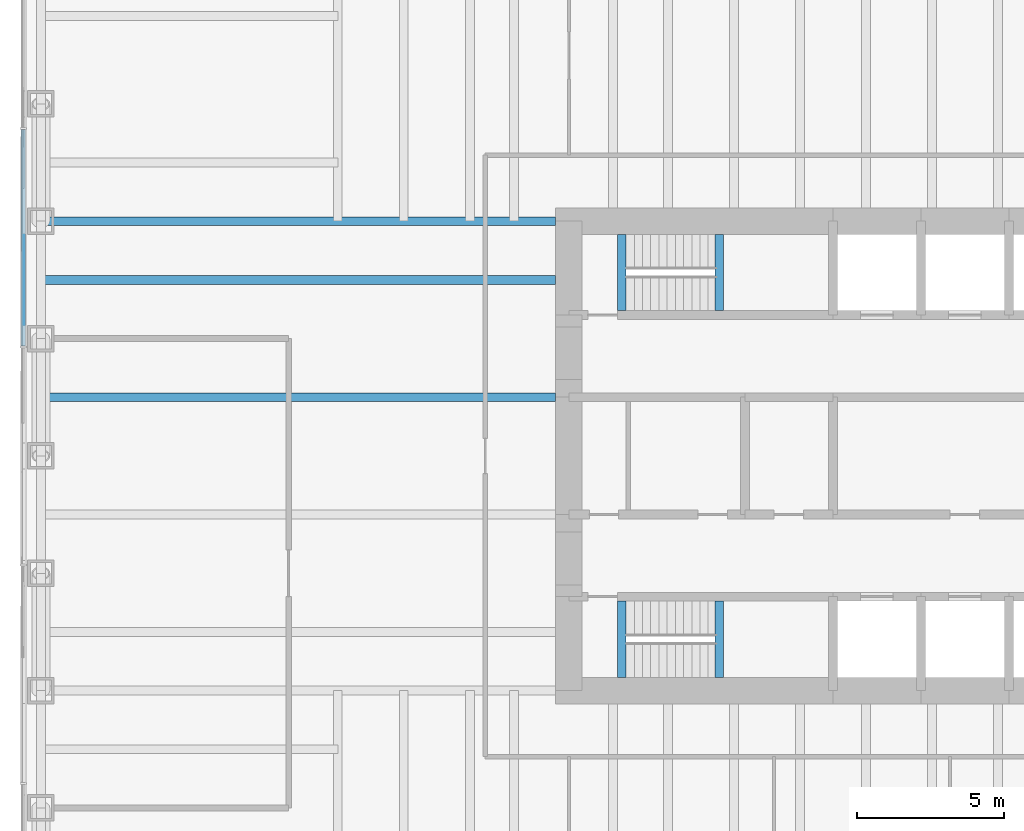
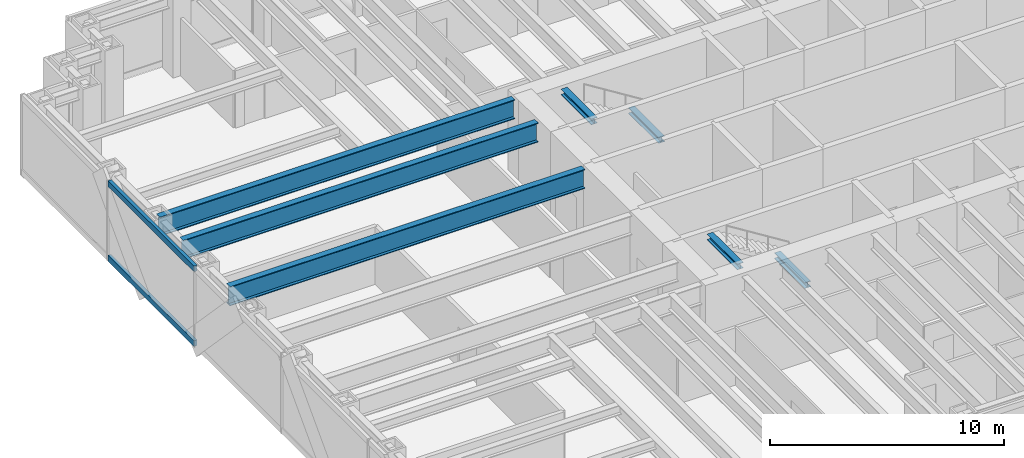
# One storey, part 3 of 16: 7 beams, 2 members, 1 element without a shape of its own.
"""IFC4 building model written with IfcOpenShell, lengths in metres."""

import ifcopenshell
import ifcopenshell.guid

model = None  # the IFC model being written
_history = None  # IfcOwnerHistory: only IFC2X3 demands one
_inside = {}  # id of a spatial element -> (the spatial element, [elements in it])
_under = {}  # id of a project, library or spatial element -> (it, [spatial elements below it])
_declared = {}  # id of a project -> (the project, [libraries it declares])
_typed = {}  # id of a type object -> (the type object, [elements of that type])
_made_of = {}  # id of a material, layer set ... -> (it, [elements and type objects made of it])


def new_model(schema):
    """Start an empty IFC model of exactly this schema.

    Asked for "IFC4X3", IfcOpenShell would pick the latest addendum, in which some entities
    have other attributes; the version numbers below select the first issue.
    IFC2X3 requires an IfcOwnerHistory on every rooted entity: one is made here for all.
    """
    global model, _history
    if schema == "IFC4X3":
        model = ifcopenshell.file(schema_version=(4, 3, 0, 0))
    else:
        model = ifcopenshell.file(schema=schema)
    _inside.clear()
    _under.clear()
    _declared.clear()
    _typed.clear()
    _made_of.clear()
    _history = None
    if model.schema == "IFC2X3":
        org = make("IfcOrganization", Name="unknown")
        user = make(
            "IfcPersonAndOrganization",
            ThePerson=make("IfcPerson", FamilyName="unknown"),
            TheOrganization=org,
        )
        app = make(
            "IfcApplication",
            ApplicationDeveloper=org,
            Version="unknown",
            ApplicationFullName="unknown",
            ApplicationIdentifier="unknown",
        )
        _history = make(
            "IfcOwnerHistory",
            OwningUser=user,
            OwningApplication=app,
            ChangeAction="ADDED",
            CreationDate=0,
        )
    return model


def make(cls, **values):
    """One entity of the class cls with the attributes given. An attribute that is None is left unset."""
    return model.create_entity(
        cls, **{name: value for name, value in values.items() if value is not None}
    )


def rooted(cls, **values):
    """An entity with a GlobalId (a new one), such as an element, a storey or a relation."""
    return make(cls, GlobalId=ifcopenshell.guid.new(), OwnerHistory=_history, **values)


def si_unit(unit_type, name, prefix=None):
    """IfcSIUnit, for example si_unit("LENGTHUNIT", "METRE", prefix="MILLI")."""
    return make("IfcSIUnit", UnitType=unit_type, Prefix=prefix, Name=name)


def assignment(units):
    """IfcUnitAssignment: the units of a project."""
    return None if units is None else make("IfcUnitAssignment", Units=units)


def point(xyz):
    """IfcCartesianPoint."""
    return None if xyz is None else make("IfcCartesianPoint", Coordinates=xyz)


def direction(xyz):
    """IfcDirection."""
    return None if xyz is None else make("IfcDirection", DirectionRatios=xyz)


def frame(location, z_axis=None, x_axis=None):
    """IfcAxis2Placement3D, a coordinate frame: its origin and axes. An axis left out is left unset."""
    return make(
        "IfcAxis2Placement3D",
        Location=point(location),
        Axis=direction(z_axis),
        RefDirection=direction(x_axis),
    )


def frame_2d(location, x_axis=None):
    """IfcAxis2Placement2D, a coordinate frame in the plane: its origin and x axis."""
    return make(
        "IfcAxis2Placement2D", Location=point(location), RefDirection=direction(x_axis)
    )


def origin():
    """The frame at (0, 0, 0) with its axes left unset."""
    return frame((0.0, 0.0, 0.0))


def origin_2d():
    """The frame at (0, 0) in the plane with its x axis left unset."""
    return frame_2d((0.0, 0.0))


def place(relative_to, where):
    """IfcLocalPlacement: puts the frame where relative to a parent placement (None: the world)."""
    return make(
        "IfcLocalPlacement", PlacementRelTo=relative_to, RelativePlacement=where
    )


def context(
    kind, dimensions, precision=None, world=None, true_north=None, identifier=None
):
    """IfcGeometricRepresentationContext, for example the 3D "Model" context."""
    return make(
        "IfcGeometricRepresentationContext",
        ContextIdentifier=identifier,
        ContextType=kind,
        CoordinateSpaceDimension=dimensions,
        Precision=precision,
        WorldCoordinateSystem=world,
        TrueNorth=true_north,
    )


def subcontext(parent, identifier, kind, view, scale=None):
    """IfcGeometricRepresentationSubContext, for example "Body" below "Model"."""
    return make(
        "IfcGeometricRepresentationSubContext",
        ContextIdentifier=identifier,
        ContextType=kind,
        ParentContext=parent,
        TargetScale=scale,
        TargetView=view,
    )


def project(units=None, contexts=None):
    """IfcProject with its units and contexts."""
    return rooted(
        "IfcProject",
        Name="project",
        RepresentationContexts=contexts,
        UnitsInContext=assignment(units),
    )


def spatial(cls, under=None, at=None, **own):
    """A site, building, storey or space (cls), placed at a placement, below another one or the project."""
    s = rooted(cls, ObjectPlacement=at, **own)
    if under is not None:
        _under.setdefault(under.id(), (under, []))[1].append(s)
    return s


def profile(cls, at=None, kind="AREA", **sizes):
    """A parametric profile (cls). Its sizes go by their IFC names, for example OverallWidth=200.0."""
    return make(cls, ProfileType=kind, Position=at, **sizes)


def rectangle(**sizes):
    """IfcRectangleProfileDef."""
    return profile("IfcRectangleProfileDef", **sizes)


def i_section(**sizes):
    """IfcIShapeProfileDef."""
    return profile("IfcIShapeProfileDef", **sizes)


def extrude(swept, where, along, depth):
    """IfcExtrudedAreaSolid: the profile swept, set in the frame where, extruded along a direction by depth."""
    return make(
        "IfcExtrudedAreaSolid",
        SweptArea=swept,
        Position=where,
        ExtrudedDirection=direction(along),
        Depth=depth,
    )


def shape(context_of_items, identifier, shape_type, items):
    """IfcShapeRepresentation: the items that make up one representation, for example the "Body"."""
    return make(
        "IfcShapeRepresentation",
        ContextOfItems=context_of_items,
        RepresentationIdentifier=identifier,
        RepresentationType=shape_type,
        Items=items,
    )


def material(Name=None, Category=None):
    """IfcMaterial."""
    return make("IfcMaterial", Name=Name, Category=Category)


def material_profile(
    of_material, cross_section, Name=None, Category=None, Priority=None
):
    """IfcMaterialProfile: a cross section and its material."""
    return make(
        "IfcMaterialProfile",
        Name=Name,
        Material=of_material,
        Profile=cross_section,
        Priority=Priority,
        Category=Category,
    )


def profile_set(profiles, Name=None, composite=None):
    """IfcMaterialProfileSet."""
    return make(
        "IfcMaterialProfileSet",
        Name=Name,
        MaterialProfiles=profiles,
        CompositeProfile=composite,
    )


def made_of(thing, what):
    """Note that an element or type object is made of a material, layer set ...; save() writes the relation."""
    if what is not None:
        _made_of.setdefault(what.id(), (what, []))[1].append(thing)
    return thing


def type_object(cls, material=None, **own):
    """A type object (cls), such as IfcWallType, which elements share."""
    return made_of(rooted(cls, **own), material)


def element(
    cls,
    number,
    at=None,
    inside=None,
    cuts=None,
    type_object=None,
    material=None,
    context=None,
    identifier="Body",
    shape_type=None,
    held_by="IfcProductDefinitionShape",
    body=None,
    shapes=None,
    **own,
):
    """One element of the class cls, such as IfcWall. Its Tag is "e" and its number.

    at: its placement. inside: the storey or other place that contains it. cuts: it is an
    opening in that element (IfcRelVoidsElement). A single representation is given by context,
    identifier, shape_type and body (its items); several are given by shapes. held_by: the class
    of the entity that holds the representations. save() writes the other relations.
    """
    e = rooted(cls, Tag="e%d" % number, ObjectPlacement=at, **own)
    if body is not None:
        shapes = [shape(context, identifier, shape_type, body)]
    if shapes is not None:
        e.Representation = make(held_by, Representations=shapes)
    if inside is not None:
        _inside.setdefault(inside.id(), (inside, []))[1].append(e)
    if cuts is not None:
        rooted(
            "IfcRelVoidsElement", RelatingBuildingElement=cuts, RelatedOpeningElement=e
        )
    if type_object is not None:
        _typed.setdefault(type_object.id(), (type_object, []))[1].append(e)
    return made_of(e, material)


def aggregate(whole, parts):
    """IfcRelAggregates: a whole, such as a stair, and the parts it consists of."""
    return rooted("IfcRelAggregates", RelatingObject=whole, RelatedObjects=parts)


def save(model, path):
    """Write the relations noted so far, then the file.

    IfcRelAggregates (storeys below a building ...), IfcRelContainedInSpatialStructure (elements
    in a storey), IfcRelDefinesByType, IfcRelAssociatesMaterial and IfcRelDeclares: one each for
    every whole, place, type object, material and project.
    """
    for whole, parts in _under.values():
        aggregate(whole, parts)
    for where, things in _inside.values():
        rooted(
            "IfcRelContainedInSpatialStructure",
            RelatedElements=things,
            RelatingStructure=where,
        )
    for kind, things in _typed.values():
        rooted("IfcRelDefinesByType", RelatedObjects=things, RelatingType=kind)
    for what, things in _made_of.values():
        rooted("IfcRelAssociatesMaterial", RelatedObjects=things, RelatingMaterial=what)
    for by, libraries in _declared.values():
        rooted("IfcRelDeclares", RelatingContext=by, RelatedDefinitions=libraries)
    model.write(path)


model = new_model("IFC4")

# Units and contexts
model_context = context("Model", 3, precision=1e-05, world=origin(), true_north=direction((0.0, 1.0)))
body_context = subcontext(model_context, "Body", "Model", "MODEL_VIEW")
ifc_project = project(units=[si_unit("LENGTHUNIT", "METRE"), si_unit("AREAUNIT", "SQUARE_METRE"), si_unit("VOLUMEUNIT", "CUBIC_METRE"), si_unit("PLANEANGLEUNIT", "RADIAN"), si_unit("MASSUNIT", "GRAM", prefix="KILO")], contexts=[model_context])

# Site, building, storey
site_placement = place(None, origin())
site = spatial("IfcSite", under=ifc_project, at=site_placement, CompositionType="ELEMENT")
building_placement = place(site_placement, origin())
building = spatial("IfcBuilding", under=site, at=building_placement, Name="Rheinbord Bourse Tower", CompositionType="ELEMENT")
storey_placement = place(building_placement, frame((0.0, 0.0, 171.89990234375)))
storey = spatial("IfcBuildingStorey", under=building, at=storey_placement, Name="L38", CompositionType="ELEMENT", Elevation=171.89990234375)

# Curtain wall, members
ifc_material_1 = material(Name="Dark glass and black aluminium", Category="aluminium")
curtain_wall_type = type_object("IfcCurtainWallType", Name="CW2 DARK GLASS CURTAIN WALL", PredefinedType="USERDEFINED", material=ifc_material_1)
curtain_wall_placement = place(storey_placement, origin())
curtain_wall = element("IfcCurtainWall", 1, at=curtain_wall_placement, inside=storey, type_object=curtain_wall_type, Name="Curtain wall CW2 W L38", ObjectType="UNITISED CURTAIN WALL", PredefinedType="USERDEFINED")
ifc_material_2 = material(Name="Black anodised aluminium", Category="aluminium")
ifc_material_profile_1 = material_profile(ifc_material_2, rectangle(XDim=0.159912109375, YDim=0.300048828125, at=origin_2d()), Name="CW2 TRANSOM 300x160")
ifc_profile_set_1 = profile_set([ifc_material_profile_1], Name="Black anodised aluminium")
member_type = type_object("IfcMemberType", Name="CW2 BLACK TRANSOM", PredefinedType="USERDEFINED", material=ifc_profile_set_1)
member_1_placement = place(storey_placement, frame((-0.60009765625, 35.125, 0.150146484375), z_axis=(0.0, -1.0, 0.0), x_axis=(1.0, 0.0, 0.0)))
member_1 = element("IfcMember", 2, at=member_1_placement, type_object=member_type, Name="CW2 transom 2.1", ObjectType="TRANSOM", PredefinedType="USERDEFINED", context=body_context, shape_type="SweptSolid", body=[
    extrude(rectangle(XDim=0.159912109375, YDim=0.300048828125, at=origin_2d()), origin(), (0.0, 0.0, 1.0), 7.3701171875),
])
member_2_placement = place(storey_placement, frame((-0.60009765625, 35.125, 4.050048828125), z_axis=(0.0, -1.0, 0.0), x_axis=(1.0, 0.0, 0.0)))
member_2 = element("IfcMember", 3, at=member_2_placement, type_object=member_type, Name="CW2 transom 2.2", ObjectType="TRANSOM", PredefinedType="USERDEFINED", context=body_context, shape_type="SweptSolid", body=[
    extrude(rectangle(XDim=0.159912109375, YDim=0.300048828125, at=origin_2d()), origin(), (0.0, 0.0, 1.0), 7.3701171875),
])
aggregate(curtain_wall, [member_1, member_2])

# Beams
ifc_material_3 = material(Name="Steel S460", Category="steel")
ifc_material_profile_2 = material_profile(ifc_material_3, i_section(OverallWidth=0.302001953125, OverallDepth=1.008056640625, WebThickness=0.02099609375, FlangeThickness=0.0400390625, at=origin_2d()), Name="HEM 1000")
ifc_profile_set_2 = profile_set([ifc_material_profile_2], Name="Steel S460")
beam_type_1 = type_object("IfcBeamType", Name="END BEAM HEM 1000", PredefinedType="BEAM", material=ifc_profile_set_2)
for number, where, z_axis, x_axis, name in (
    (4, (0.0, 26.0, 3.5361328125), (1.0, 0.0, 0.0), (0.0, 1.0, 0.0), "End beam west 26 L39"),
    (5, (0.0, 30.0, 3.5361328125), (1.0, 0.0, 0.0), (0.0, 1.0, 0.0), "End beam west 30 L39"),
):
    element("IfcBeam", number, at=place(storey_placement, frame(where, z_axis=z_axis, x_axis=x_axis)), inside=storey, type_object=beam_type_1, Name=name, PredefinedType="BEAM", context=body_context, shape_type="SweptSolid", body=[
        extrude(i_section(OverallWidth=0.302001953125, OverallDepth=1.008056640625, WebThickness=0.02099609375, FlangeThickness=0.0400390625, at=origin_2d()), origin(), (0.0, 0.0, 1.0), 17.550048828125),
    ])
ifc_material_4 = material(Name="Steel S460", Category="steel")
ifc_material_profile_3 = material_profile(ifc_material_4, i_section(OverallWidth=0.302001953125, OverallDepth=1.008056640625, WebThickness=0.02099609375, FlangeThickness=0.0400390625, at=origin_2d()), Name="HEM 1000")
ifc_profile_set_3 = profile_set([ifc_material_profile_3], Name="Steel S460")
beam_type_2 = type_object("IfcBeamType", Name="GIRDER HEM 1000", PredefinedType="BEAM", material=ifc_profile_set_3)
beam_placement = place(storey_placement, frame((0.0, 32.0, 3.5361328125), z_axis=(1.0, 0.0, 0.0), x_axis=(0.0, 1.0, 0.0)))
element("IfcBeam", 6, at=beam_placement, inside=storey, type_object=beam_type_2, Name="Girder west 32 L39", PredefinedType="BEAM", context=body_context, shape_type="SweptSolid", body=[
    extrude(i_section(OverallWidth=0.302001953125, OverallDepth=1.008056640625, WebThickness=0.02099609375, FlangeThickness=0.0400390625, at=origin_2d()), origin(), (0.0, 0.0, 1.0), 17.550048828125),
])
ifc_material_5 = material(Name="Steel S460", Category="steel")
ifc_material_profile_4 = material_profile(ifc_material_5, i_section(OverallWidth=0.300048828125, OverallDepth=0.300048828125, WebThickness=0.010986328125, FlangeThickness=0.01904296875, at=origin_2d()), Name="HEB 300")
ifc_profile_set_4 = profile_set([ifc_material_profile_4], Name="Steel S460")
beam_type_3 = type_object("IfcBeamType", Name="LANDING TRIMMER HEB 300", PredefinedType="BEAM", material=ifc_profile_set_4)
for number, where, z_axis, x_axis, name in (
    (7, (23.1298828125, 16.449951171875, 1.75), (0.0, 1.0, 0.0), (-1.0, 0.0, 0.0), "Landing trimmer ST1 L38"),
    (8, (19.800048828125, 16.449951171875, 3.89013671875), (0.0, 1.0, 0.0), (-1.0, 0.0, 0.0), "Well trimmer ST1 under L39"),
    (9, (23.1298828125, 28.949951171875, 1.75), (0.0, 1.0, 0.0), (-1.0, 0.0, 0.0), "Landing trimmer ST2 L38"),
    (10, (19.800048828125, 28.949951171875, 3.89013671875), (0.0, 1.0, 0.0), (-1.0, 0.0, 0.0), "Well trimmer ST2 under L39"),
):
    element("IfcBeam", number, at=place(storey_placement, frame(where, z_axis=z_axis, x_axis=x_axis)), inside=storey, type_object=beam_type_3, Name=name, PredefinedType="BEAM", context=body_context, shape_type="SweptSolid", body=[
        extrude(i_section(OverallWidth=0.300048828125, OverallDepth=0.300048828125, WebThickness=0.010986328125, FlangeThickness=0.01904296875, at=origin_2d()), origin(), (0.0, 0.0, 1.0), 2.60009765625),
    ])

save(model, "model.ifc")
